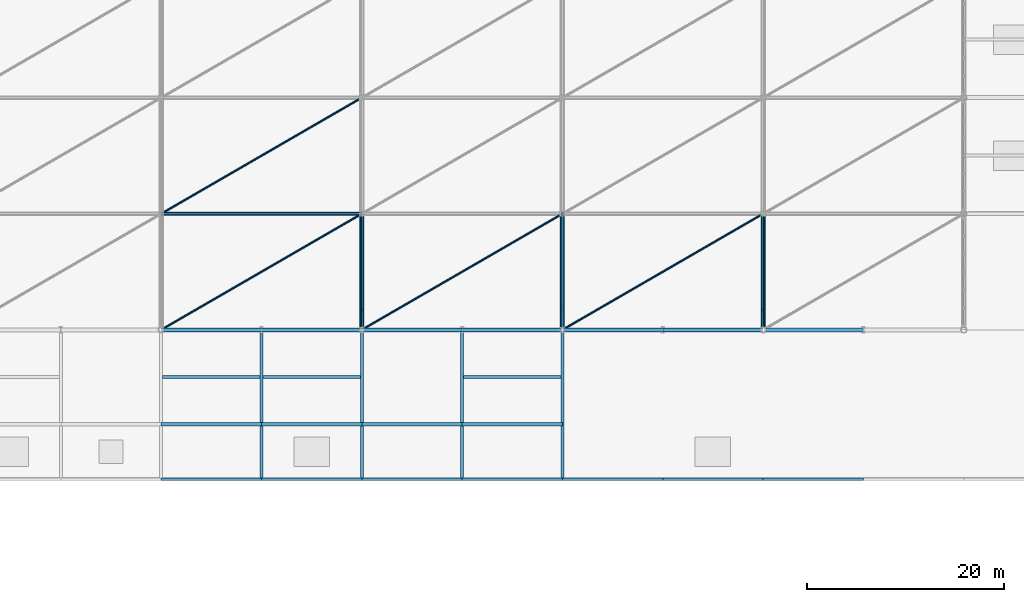
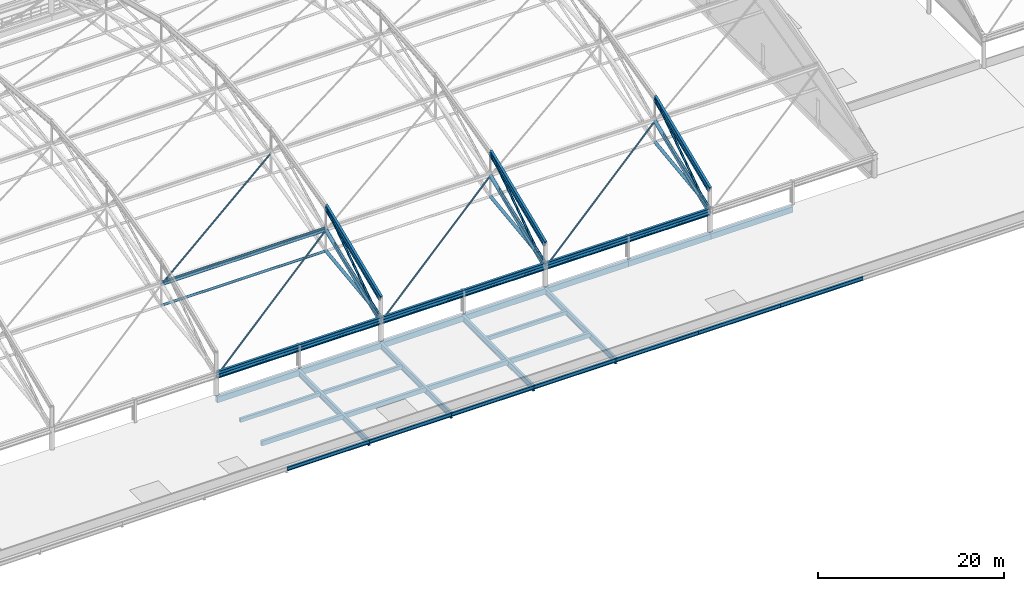
# One storey, part 20 of 135: 31 beams, 22 members.
"""IFC4 building model written with IfcOpenShell, lengths in metres."""

from ifc_helpers import new_model, si_unit, direction, frame, origin, origin_2d, place, context, subcontext, project, spatial, rectangle, hollow_circle, i_section, extrude, material, material_profile, profile_set, type_object, element, save


model = new_model("IFC4")

# Units and contexts
model_context = context("Model", 3, precision=1e-05, world=origin(), true_north=direction((0.0, 1.0)))
body_context = subcontext(model_context, "Body", "Model", "MODEL_VIEW")
ifc_project = project(units=[si_unit("LENGTHUNIT", "METRE"), si_unit("AREAUNIT", "SQUARE_METRE"), si_unit("VOLUMEUNIT", "CUBIC_METRE"), si_unit("PLANEANGLEUNIT", "RADIAN"), si_unit("MASSUNIT", "GRAM", prefix="KILO")], contexts=[model_context])

# Site, building, storey
site_placement = place(None, origin())
site = spatial("IfcSite", under=ifc_project, at=site_placement, CompositionType="ELEMENT")
building_placement = place(site_placement, origin())
building = spatial("IfcBuilding", under=site, at=building_placement, Name="Brelvane Convention Centre", CompositionType="ELEMENT")
storey_placement = place(building_placement, frame((0.0, 0.0, 15.0)))
storey = spatial("IfcBuildingStorey", under=building, at=storey_placement, Name="L03", CompositionType="ELEMENT", Elevation=15.0)

# Beams
ifc_material_1 = material(Name="Concrete M40", Category="concrete")
ifc_material_profile_1 = material_profile(ifc_material_1, rectangle(XDim=0.39990234375, YDim=0.75, at=origin_2d()), Name="RC 400x750")
ifc_profile_set_1 = profile_set([ifc_material_profile_1], Name="Concrete M40")
beam_type_1 = type_object("IfcBeamType", Name="RC Beam B-RC6 (RC 400x750)", PredefinedType="BEAM", material=ifc_profile_set_1)
beam_1_placement = place(storey_placement, frame((61.199951171875, 28.800048828125, -0.675048828125), z_axis=(1.0, 0.0, 0.0), x_axis=(0.0, 1.0, 0.0)))
element("IfcBeam", 1, at=beam_1_placement, inside=storey, type_object=beam_type_1, Name="L03 Beam 7-8/D", PredefinedType="BEAM", context=body_context, shape_type="SweptSolid", body=[
    extrude(rectangle(XDim=0.39990234375, YDim=0.75, at=origin_2d()), origin(), (0.0, 0.0, 1.0), 10.199951171875),
])
beam_2_placement = place(storey_placement, frame((71.39990234375, 28.800048828125, -0.675048828125), z_axis=(1.0, 0.0, 0.0), x_axis=(0.0, 1.0, 0.0)))
element("IfcBeam", 2, at=beam_2_placement, inside=storey, type_object=beam_type_1, Name="L03 Beam 8-9/D", PredefinedType="BEAM", context=body_context, shape_type="SweptSolid", body=[
    extrude(rectangle(XDim=0.39990234375, YDim=0.75, at=origin_2d()), origin(), (0.0, 0.0, 1.0), 10.2001953125),
])
for number, where, z_axis, x_axis, name in (
    (3, (81.60009765625, 28.800048828125, -0.675048828125), (1.0, 0.0, 0.0), (0.0, 1.0, 0.0), "L03 Beam 9-10/D"),
    (4, (91.800048828125, 28.800048828125, -0.675048828125), (1.0, 0.0, 0.0), (0.0, 1.0, 0.0), "L03 Beam 10-11/D"),
    (5, (102.0, 28.800048828125, -0.675048828125), (1.0, 0.0, 0.0), (0.0, 1.0, 0.0), "L03 Beam 11-12/D"),
    (6, (112.199951171875, 28.800048828125, -0.675048828125), (1.0, 0.0, 0.0), (0.0, 1.0, 0.0), "L03 Beam 12-13/D"),
):
    element("IfcBeam", number, at=place(storey_placement, frame(where, z_axis=z_axis, x_axis=x_axis)), inside=storey, type_object=beam_type_1, Name=name, PredefinedType="BEAM", context=body_context, shape_type="SweptSolid", body=[
        extrude(rectangle(XDim=0.39990234375, YDim=0.75, at=origin_2d()), origin(), (0.0, 0.0, 1.0), 10.199951171875),
    ])
beam_3_placement = place(storey_placement, frame((122.39990234375, 28.800048828125, -0.675048828125), z_axis=(1.0, 0.0, 0.0), x_axis=(0.0, 1.0, 0.0)))
element("IfcBeam", 7, at=beam_3_placement, inside=storey, type_object=beam_type_1, Name="L03 Beam 13-14/D", PredefinedType="BEAM", context=body_context, shape_type="SweptSolid", body=[
    extrude(rectangle(XDim=0.39990234375, YDim=0.75, at=origin_2d()), origin(), (0.0, 0.0, 1.0), 10.2001953125),
])
ifc_material_2 = material(Name="Concrete M40", Category="concrete")
ifc_material_profile_2 = material_profile(ifc_material_2, rectangle(XDim=0.300048828125, YDim=0.5, at=origin_2d()), Name="RC 300x500")
ifc_profile_set_2 = profile_set([ifc_material_profile_2], Name="Concrete M40")
beam_type_2 = type_object("IfcBeamType", Name="RC Joist J-RC2 (RC 300x500)", PredefinedType="JOIST", material=ifc_profile_set_2)
for number, where, z_axis, x_axis, name in (
    (8, (61.35009765625, 24.0, -0.550048828125), (1.0, 0.0, 0.0), (0.0, 1.0, 0.0), "L03 Secondary Joist 7-8/CD"),
    (9, (71.550048828125, 24.0, -0.550048828125), (1.0, 0.0, 0.0), (0.0, 1.0, 0.0), "L03 Secondary Joist 8-9/CD"),
):
    element("IfcBeam", number, at=place(storey_placement, frame(where, z_axis=z_axis, x_axis=x_axis)), inside=storey, type_object=beam_type_2, Name=name, PredefinedType="JOIST", context=body_context, shape_type="SweptSolid", body=[
        extrude(rectangle(XDim=0.300048828125, YDim=0.5, at=origin_2d()), origin(), (0.0, 0.0, 1.0), 9.89990234375),
    ])
beam_4_placement = place(storey_placement, frame((91.949951171875, 24.0, -0.550048828125), z_axis=(1.0, 0.0, 0.0), x_axis=(0.0, 1.0, 0.0)))
element("IfcBeam", 10, at=beam_4_placement, inside=storey, type_object=beam_type_2, Name="L03 Secondary Joist 10-11/CD", PredefinedType="JOIST", context=body_context, shape_type="SweptSolid", body=[
    extrude(rectangle(XDim=0.300048828125, YDim=0.5, at=origin_2d()), origin(), (0.0, 0.0, 1.0), 9.900146484375),
])
ifc_material_3 = material(Name="Concrete M40", Category="concrete")
ifc_material_profile_3 = material_profile(ifc_material_3, rectangle(XDim=0.35009765625, YDim=0.60009765625, at=origin_2d()), Name="RC 350x600")
ifc_profile_set_3 = profile_set([ifc_material_profile_3], Name="Concrete M40")
beam_type_3 = type_object("IfcBeamType", Name="RC Spandrel SP-RC2 (RC 350x600)", PredefinedType="SPANDREL", material=ifc_profile_set_3)
beam_5_placement = place(storey_placement, frame((61.199951171875, 19.199951171875, -0.60009765625), z_axis=(1.0, 0.0, 0.0), x_axis=(0.0, 1.0, 0.0)))
element("IfcBeam", 11, at=beam_5_placement, inside=storey, type_object=beam_type_3, Name="L03 Beam 7-8/C", PredefinedType="SPANDREL", context=body_context, shape_type="SweptSolid", body=[
    extrude(rectangle(XDim=0.35009765625, YDim=0.60009765625, at=origin_2d()), origin(), (0.0, 0.0, 1.0), 10.199951171875),
])
beam_6_placement = place(storey_placement, frame((71.39990234375, 19.199951171875, -0.60009765625), z_axis=(1.0, 0.0, 0.0), x_axis=(0.0, 1.0, 0.0)))
element("IfcBeam", 12, at=beam_6_placement, inside=storey, type_object=beam_type_3, Name="L03 Beam 8-9/C", PredefinedType="SPANDREL", context=body_context, shape_type="SweptSolid", body=[
    extrude(rectangle(XDim=0.35009765625, YDim=0.60009765625, at=origin_2d()), origin(), (0.0, 0.0, 1.0), 10.2001953125),
])
for number, where, z_axis, x_axis, name in (
    (13, (81.60009765625, 19.199951171875, -0.60009765625), (1.0, 0.0, 0.0), (0.0, 1.0, 0.0), "L03 Beam 9-10/C"),
    (14, (91.800048828125, 19.199951171875, -0.60009765625), (1.0, 0.0, 0.0), (0.0, 1.0, 0.0), "L03 Beam 10-11/C"),
):
    element("IfcBeam", number, at=place(storey_placement, frame(where, z_axis=z_axis, x_axis=x_axis)), inside=storey, type_object=beam_type_3, Name=name, PredefinedType="SPANDREL", context=body_context, shape_type="SweptSolid", body=[
        extrude(rectangle(XDim=0.35009765625, YDim=0.60009765625, at=origin_2d()), origin(), (0.0, 0.0, 1.0), 10.199951171875),
    ])
ifc_material_4 = material(Name="Steel E450 (450 MPa)", Category="steel")
ifc_material_profile_4 = material_profile(ifc_material_4, i_section(OverallWidth=0.300048828125, OverallDepth=0.89990234375, WebThickness=0.0166015625, FlangeThickness=0.031982421875, FilletRadius=0.027099609375, at=origin_2d()), Name="NPB 900x300")
ifc_profile_set_4 = profile_set([ifc_material_profile_4], Name="Steel E450 (450 MPa)")
beam_type_4 = type_object("IfcBeamType", Name="Steel Beam B-ST1 (NPB 900x300)", PredefinedType="BEAM", material=ifc_profile_set_4)
beam_7_placement = place(storey_placement, frame((61.199951171875, 28.800048828125, 2.550048828125), z_axis=(1.0, 0.0, 0.0), x_axis=(0.0, 1.0, 0.0)))
element("IfcBeam", 15, at=beam_7_placement, inside=storey, type_object=beam_type_4, Name="SF_EXH Eaves Ring Girder S-4", PredefinedType="BEAM", context=body_context, shape_type="SweptSolid", body=[
    extrude(i_section(OverallWidth=0.300048828125, OverallDepth=0.89990234375, WebThickness=0.0166015625, FlangeThickness=0.031982421875, FilletRadius=0.027099609375, at=origin_2d()), origin(), (0.0, 0.0, 1.0), 20.400146484375),
])
for number, where, z_axis, x_axis, name in (
    (16, (81.60009765625, 28.800048828125, 2.550048828125), (1.0, 0.0, 0.0), (0.0, 1.0, 0.0), "SF_EXH Eaves Ring Girder S-5"),
    (17, (102.0, 28.800048828125, 2.550048828125), (1.0, 0.0, 0.0), (0.0, 1.0, 0.0), "SF_EXH Eaves Ring Girder S-6"),
):
    element("IfcBeam", number, at=place(storey_placement, frame(where, z_axis=z_axis, x_axis=x_axis)), inside=storey, type_object=beam_type_4, Name=name, PredefinedType="BEAM", context=body_context, shape_type="SweptSolid", body=[
        extrude(i_section(OverallWidth=0.300048828125, OverallDepth=0.89990234375, WebThickness=0.0166015625, FlangeThickness=0.031982421875, FilletRadius=0.027099609375, at=origin_2d()), origin(), (0.0, 0.0, 1.0), 20.39990234375),
    ])
ifc_material_5 = material(Name="Steel E450 (450 MPa)", Category="steel")
ifc_material_profile_5 = material_profile(ifc_material_5, i_section(OverallWidth=0.300048828125, OverallDepth=0.800048828125, WebThickness=0.015380859375, FlangeThickness=0.030029296875, FilletRadius=0.027099609375, at=origin_2d()), Name="NPB 800x300")
ifc_profile_set_5 = profile_set([ifc_material_profile_5], Name="Steel E450 (450 MPa)")
beam_type_5 = type_object("IfcBeamType", Name="Steel Beam B-ST2 (NPB 800x300)", PredefinedType="BEAM", material=ifc_profile_set_5)
for number, where, z_axis, x_axis, name in (
    (18, (71.39990234375, 13.60009765625, -0.699951171875), (0.0, 1.0, 0.0), (-1.0, 0.0, 0.0), "L03 Hull Cantilever Girder 8"),
    (19, (81.60009765625, 13.60009765625, -0.699951171875), (0.0, 1.0, 0.0), (-1.0, 0.0, 0.0), "L03 Hull Cantilever Girder 9"),
    (20, (91.800048828125, 13.60009765625, -0.699951171875), (0.0, 1.0, 0.0), (-1.0, 0.0, 0.0), "L03 Hull Cantilever Girder 10"),
    (21, (102.0, 13.60009765625, -0.699951171875), (0.0, 1.0, 0.0), (-1.0, 0.0, 0.0), "L03 Hull Cantilever Girder 11"),
):
    element("IfcBeam", number, at=place(storey_placement, frame(where, z_axis=z_axis, x_axis=x_axis)), inside=storey, type_object=beam_type_5, Name=name, PredefinedType="BEAM", context=body_context, shape_type="SweptSolid", body=[
        extrude(i_section(OverallWidth=0.300048828125, OverallDepth=0.800048828125, WebThickness=0.015380859375, FlangeThickness=0.030029296875, FilletRadius=0.027099609375, at=origin_2d()), origin(), (0.0, 0.0, 1.0), 15.199951171875),
    ])
for number, where, z_axis, x_axis, name in (
    (22, (81.60009765625, 28.800048828125, 5.39990234375), (0.0, 0.923846983903, 0.382762002207), (-1.0, 0.0, 0.0), "EXO_EXH Exoskeletal Arch Girder 5.1"),
    (23, (102.0, 28.800048828125, 5.39990234375), (0.0, 0.923846983903, 0.382762002207), (-1.0, 0.0, 0.0), "EXO_EXH Exoskeletal Arch Girder 6.1"),
    (24, (122.39990234375, 28.800048828125, 5.39990234375), (0.0, 0.923846983903, 0.382762002207), (-1.0, 0.0, 0.0), "EXO_EXH Exoskeletal Arch Girder 7.1"),
):
    element("IfcBeam", number, at=place(storey_placement, frame(where, z_axis=z_axis, x_axis=x_axis)), inside=storey, type_object=beam_type_5, Name=name, PredefinedType="BEAM", context=body_context, shape_type="SweptSolid", body=[
        extrude(i_section(OverallWidth=0.300048828125, OverallDepth=0.800048828125, WebThickness=0.015380859375, FlangeThickness=0.030029296875, FilletRadius=0.027099609375, at=origin_2d()), origin(), (0.0, 0.0, 1.0), 12.772705078125),
    ])

# Members
ifc_material_6 = material(Name="Steel E350 (350 MPa)", Category="steel")
ifc_material_profile_6 = material_profile(ifc_material_6, hollow_circle(Radius=0.136474609375, WallThickness=0.012451171875, at=origin_2d()), Name="CHS 273.0x12.5")
ifc_profile_set_6 = profile_set([ifc_material_profile_6], Name="Steel E350 (350 MPa)")
member_type_1 = type_object("IfcMemberType", Name="Steel Brace SF-DG1 (CHS 273.0x12.5)", PredefinedType="BRACE", material=ifc_profile_set_6)
for number, where, z_axis, x_axis, name in (
    (25, (81.60009765625, 28.800048828125, 3.0), (0.0, 0.941369868841, 0.337376303314), (-1.0, 0.0, 0.0), "SF_EXH Space-Frame Web Diagonal D5.1"),
    (26, (102.0, 28.800048828125, 3.0), (0.0, 0.941369868841, 0.337376303314), (-1.0, 0.0, 0.0), "SF_EXH Space-Frame Web Diagonal D6.1"),
    (27, (122.39990234375, 28.800048828125, 3.0), (0.0, 0.941369868841, 0.337376303314), (-1.0, 0.0, 0.0), "SF_EXH Space-Frame Web Diagonal D7.1"),
):
    element("IfcMember", number, at=place(storey_placement, frame(where, z_axis=z_axis, x_axis=x_axis)), inside=storey, type_object=member_type_1, Name=name, PredefinedType="BRACE", context=body_context, shape_type="SweptSolid", body=[
        extrude(hollow_circle(Radius=0.136474609375, WallThickness=0.012451171875, at=origin_2d()), origin(), (0.0, 0.0, 1.0), 12.534912109375),
    ])
for number, where, z_axis, x_axis, name in (
    (28, (81.60009765625, 28.800048828125, 2.340087890625), (0.0, 0.829379646724, 0.558685422756), (-1.0, 0.0, 0.0), "EXO_EXH Exoskeletal Arch Web 5.1"),
    (29, (102.0, 28.800048828125, 2.340087890625), (0.0, 0.829379646724, 0.558685422756), (-1.0, 0.0, 0.0), "EXO_EXH Exoskeletal Arch Web 6.1"),
    (30, (122.39990234375, 28.800048828125, 2.340087890625), (0.0, 0.829379646724, 0.558685422756), (-1.0, 0.0, 0.0), "EXO_EXH Exoskeletal Arch Web 7.1"),
):
    element("IfcMember", number, at=place(storey_placement, frame(where, z_axis=z_axis, x_axis=x_axis)), inside=storey, type_object=member_type_1, Name=name, PredefinedType="BRACE", context=body_context, shape_type="SweptSolid", body=[
        extrude(hollow_circle(Radius=0.136474609375, WallThickness=0.012451171875, at=origin_2d()), origin(), (0.0, 0.0, 1.0), 14.2275390625),
    ])
ifc_material_7 = material(Name="Steel E350 (350 MPa)", Category="steel")
ifc_material_profile_7 = material_profile(ifc_material_7, hollow_circle(Radius=0.109619140625, WallThickness=0.010009765625, at=origin_2d()), Name="CHS 219.1x10.0")
ifc_profile_set_7 = profile_set([ifc_material_profile_7], Name="Steel E350 (350 MPa)")
member_type_2 = type_object("IfcMemberType", Name="Steel Brace SF-DG2 (CHS 219.1x10.0)", PredefinedType="BRACE", material=ifc_profile_set_7)
member_1_placement = place(storey_placement, frame((61.199951171875, 28.800048828125, 2.340087890625), z_axis=(0.847575290674, 0.490262647041, 0.203122287195), x_axis=(-0.500700562715, 0.865620555727, 0.0)))
element("IfcMember", 31, at=member_1_placement, inside=storey, type_object=member_type_2, Name="SF_EXH Roof Diaphragm Brace PB4.1", PredefinedType="BRACE", context=body_context, shape_type="SweptSolid", body=[
    extrude(hollow_circle(Radius=0.109619140625, WallThickness=0.010009765625, at=origin_2d()), origin(), (0.0, 0.0, 1.0), 24.06884765625),
])
member_2_placement = place(storey_placement, frame((61.199951171875, 40.60009765625, 7.22900390625), z_axis=(0.858997719832, 0.496859438181, 0.123505530297), x_axis=(-0.500692800372, 0.865625045649, 0.0)))
element("IfcMember", 32, at=member_2_placement, inside=storey, type_object=member_type_2, Name="SF_EXH Roof Diaphragm Brace PB4.2", PredefinedType="BRACE", context=body_context, shape_type="SweptSolid", body=[
    extrude(hollow_circle(Radius=0.109619140625, WallThickness=0.010009765625, at=origin_2d()), origin(), (0.0, 0.0, 1.0), 23.748779296875),
])
for number, where, z_axis, x_axis, name in (
    (33, (81.60009765625, 28.800048828125, 2.340087890625), (0.847572434082, 0.490266862018, 0.203124033516), (-0.500705052683, 0.865617958581, 0.0), "SF_EXH Roof Diaphragm Brace PB5.1"),
    (34, (102.0, 28.800048828125, 2.340087890625), (0.847572434082, 0.490266862018, 0.203124033516), (-0.500705052683, 0.865617958581, 0.0), "SF_EXH Roof Diaphragm Brace PB6.1"),
):
    element("IfcMember", number, at=place(storey_placement, frame(where, z_axis=z_axis, x_axis=x_axis)), inside=storey, type_object=member_type_2, Name=name, PredefinedType="BRACE", context=body_context, shape_type="SweptSolid", body=[
        extrude(hollow_circle(Radius=0.109619140625, WallThickness=0.010009765625, at=origin_2d()), origin(), (0.0, 0.0, 1.0), 24.068603515625),
    ])
ifc_material_8 = material(Name="Steel E450 (450 MPa)", Category="steel")
ifc_material_profile_8 = material_profile(ifc_material_8, hollow_circle(Radius=0.203125, WallThickness=0.01611328125, at=origin_2d()), Name="CHS 406.4x16.0")
ifc_profile_set_8 = profile_set([ifc_material_profile_8], Name="Steel E450 (450 MPa)")
member_type_3 = type_object("IfcMemberType", Name="Steel Chord SF-BC1 (CHS 406.4x16.0)", PredefinedType="CHORD", material=ifc_profile_set_8)
for number, where, z_axis, x_axis, name in (
    (35, (81.60009765625, 28.800048828125, 3.0), (0.0, 0.992132246813, 0.125194268374), (-1.0, 0.0, 0.0), "SF_EXH Space-Frame Bottom Chord B5.1"),
    (36, (102.0, 28.800048828125, 3.0), (0.0, 0.992132246813, 0.125194268374), (-1.0, 0.0, 0.0), "SF_EXH Space-Frame Bottom Chord B6.1"),
    (37, (122.39990234375, 28.800048828125, 3.0), (0.0, 0.992132246813, 0.125194268374), (-1.0, 0.0, 0.0), "SF_EXH Space-Frame Bottom Chord B7.1"),
):
    element("IfcMember", number, at=place(storey_placement, frame(where, z_axis=z_axis, x_axis=x_axis)), inside=storey, type_object=member_type_3, Name=name, PredefinedType="CHORD", context=body_context, shape_type="SweptSolid", body=[
        extrude(hollow_circle(Radius=0.203125, WallThickness=0.01611328125, at=origin_2d()), origin(), (0.0, 0.0, 1.0), 11.8935546875),
    ])
ifc_material_9 = material(Name="Steel E350 (350 MPa)", Category="steel")
ifc_material_profile_9 = material_profile(ifc_material_9, hollow_circle(Radius=0.161865234375, WallThickness=0.012451171875, at=origin_2d()), Name="CHS 323.9x12.5")
ifc_profile_set_9 = profile_set([ifc_material_profile_9], Name="Steel E350 (350 MPa)")
member_type_4 = type_object("IfcMemberType", Name="Steel Chord SF-BC2 (CHS 323.9x12.5)", PredefinedType="CHORD", material=ifc_profile_set_9)
member_3_placement = place(storey_placement, frame((61.199951171875, 40.60009765625, 4.489013671875), z_axis=(1.0, 0.0, 0.0), x_axis=(0.0, 1.0, 0.0)))
element("IfcMember", 38, at=member_3_placement, inside=storey, type_object=member_type_4, Name="SF_EXH Longitudinal Bottom Chord LB4.2", PredefinedType="CHORD", context=body_context, shape_type="SweptSolid", body=[
    extrude(hollow_circle(Radius=0.161865234375, WallThickness=0.012451171875, at=origin_2d()), origin(), (0.0, 0.0, 1.0), 20.400146484375),
])
ifc_material_10 = material(Name="Steel E450 (450 MPa)", Category="steel")
ifc_material_profile_10 = material_profile(ifc_material_10, hollow_circle(Radius=0.228515625, WallThickness=0.02001953125, at=origin_2d()), Name="CHS 457.0x20.0")
ifc_profile_set_10 = profile_set([ifc_material_profile_10], Name="Steel E450 (450 MPa)")
member_type_5 = type_object("IfcMemberType", Name="Steel Chord SF-TC1 (CHS 457.0x20.0)", PredefinedType="CHORD", material=ifc_profile_set_10)
for number, where, z_axis, x_axis, name in (
    (39, (81.60009765625, 28.800048828125, 2.340087890625), (0.0, 0.923846983903, 0.382762002207), (-1.0, 0.0, 0.0), "SF_EXH Space-Frame Top Chord T5.1"),
    (40, (102.0, 28.800048828125, 2.340087890625), (0.0, 0.923846983903, 0.382762002207), (-1.0, 0.0, 0.0), "SF_EXH Space-Frame Top Chord T6.1"),
    (41, (122.39990234375, 28.800048828125, 2.340087890625), (0.0, 0.923846983903, 0.382762002207), (-1.0, 0.0, 0.0), "SF_EXH Space-Frame Top Chord T7.1"),
):
    element("IfcMember", number, at=place(storey_placement, frame(where, z_axis=z_axis, x_axis=x_axis)), inside=storey, type_object=member_type_5, Name=name, PredefinedType="CHORD", context=body_context, shape_type="SweptSolid", body=[
        extrude(hollow_circle(Radius=0.228515625, WallThickness=0.02001953125, at=origin_2d()), origin(), (0.0, 0.0, 1.0), 12.772705078125),
    ])
ifc_material_11 = material(Name="Steel E450 (450 MPa)", Category="steel")
ifc_material_profile_11 = material_profile(ifc_material_11, hollow_circle(Radius=0.177734375, WallThickness=0.01611328125, at=origin_2d()), Name="CHS 355.6x16.0")
ifc_profile_set_11 = profile_set([ifc_material_profile_11], Name="Steel E450 (450 MPa)")
member_type_6 = type_object("IfcMemberType", Name="Steel Chord SF-TC2 (CHS 355.6x16.0)", PredefinedType="CHORD", material=ifc_profile_set_11)
for number, where, z_axis, x_axis, name in (
    (42, (61.199951171875, 28.800048828125, 2.340087890625), (1.0, 0.0, 0.0), (0.0, 1.0, 0.0), "SF_EXH Longitudinal Top Chord LT4.1"),
    (43, (61.199951171875, 40.60009765625, 7.22900390625), (1.0, 0.0, 0.0), (0.0, 1.0, 0.0), "SF_EXH Longitudinal Top Chord LT4.2"),
):
    element("IfcMember", number, at=place(storey_placement, frame(where, z_axis=z_axis, x_axis=x_axis)), inside=storey, type_object=member_type_6, Name=name, PredefinedType="CHORD", context=body_context, shape_type="SweptSolid", body=[
        extrude(hollow_circle(Radius=0.177734375, WallThickness=0.01611328125, at=origin_2d()), origin(), (0.0, 0.0, 1.0), 20.400146484375),
    ])
for number, where, z_axis, x_axis, name in (
    (44, (81.60009765625, 28.800048828125, 2.340087890625), (1.0, 0.0, 0.0), (0.0, 1.0, 0.0), "SF_EXH Longitudinal Top Chord LT5.1"),
    (45, (102.0, 28.800048828125, 2.340087890625), (1.0, 0.0, 0.0), (0.0, 1.0, 0.0), "SF_EXH Longitudinal Top Chord LT6.1"),
):
    element("IfcMember", number, at=place(storey_placement, frame(where, z_axis=z_axis, x_axis=x_axis)), inside=storey, type_object=member_type_6, Name=name, PredefinedType="CHORD", context=body_context, shape_type="SweptSolid", body=[
        extrude(hollow_circle(Radius=0.177734375, WallThickness=0.01611328125, at=origin_2d()), origin(), (0.0, 0.0, 1.0), 20.39990234375),
    ])
ifc_material_12 = material(Name="Steel E350 (350 MPa)", Category="steel")
ifc_material_profile_12 = material_profile(ifc_material_12, i_section(OverallWidth=0.125, OverallDepth=0.25, WebThickness=0.0068359375, FlangeThickness=0.012451171875, FilletRadius=0.012939453125, at=origin_2d()), Name="ISMB 250")
ifc_profile_set_12 = profile_set([ifc_material_profile_12], Name="Steel E350 (350 MPa)")
member_type_7 = type_object("IfcMemberType", Name="Steel Purlin PR-ST1 (ISMB 250)", PredefinedType="PURLIN", material=ifc_profile_set_12)
member_4_placement = place(storey_placement, frame((61.199951171875, 40.60009765625, 7.56396484375), z_axis=(1.0, 0.0, 0.0), x_axis=(0.0, 1.0, 0.0)))
element("IfcMember", 46, at=member_4_placement, inside=storey, type_object=member_type_7, Name="SF_EXH Roof Purlin P4.2", PredefinedType="PURLIN", context=body_context, shape_type="SweptSolid", body=[
    extrude(i_section(OverallWidth=0.125, OverallDepth=0.25, WebThickness=0.0068359375, FlangeThickness=0.012451171875, FilletRadius=0.012939453125, at=origin_2d()), origin(), (0.0, 0.0, 1.0), 20.400146484375),
])

# Beams
ifc_material_13 = material(Name="Steel E350 (350 MPa)", Category="steel")
ifc_material_profile_13 = material_profile(ifc_material_13, i_section(OverallWidth=0.25, OverallDepth=0.5, WebThickness=0.010009765625, FlangeThickness=0.0146484375, FilletRadius=0.01611328125, at=origin_2d()), Name="ISWB 500")
ifc_profile_set_13 = profile_set([ifc_material_profile_13], Name="Steel E350 (350 MPa)")
beam_type_6 = type_object("IfcBeamType", Name="Steel Spandrel SP-ST1 (ISWB 500)", PredefinedType="SPANDREL", material=ifc_profile_set_13)
beam_8_placement = place(storey_placement, frame((61.199951171875, 13.60009765625, -0.550048828125), z_axis=(1.0, 0.0, 0.0), x_axis=(0.0, 1.0, 0.0)))
element("IfcBeam", 47, at=beam_8_placement, inside=storey, type_object=beam_type_6, Name="L03 Hull Overhang Edge Spandrel 7", PredefinedType="SPANDREL", context=body_context, shape_type="SweptSolid", body=[
    extrude(i_section(OverallWidth=0.25, OverallDepth=0.5, WebThickness=0.010009765625, FlangeThickness=0.0146484375, FilletRadius=0.01611328125, at=origin_2d()), origin(), (0.0, 0.0, 1.0), 10.199951171875),
])
beam_9_placement = place(storey_placement, frame((71.39990234375, 13.60009765625, -0.550048828125), z_axis=(1.0, 0.0, 0.0), x_axis=(0.0, 1.0, 0.0)))
element("IfcBeam", 48, at=beam_9_placement, inside=storey, type_object=beam_type_6, Name="L03 Hull Overhang Edge Spandrel 8", PredefinedType="SPANDREL", context=body_context, shape_type="SweptSolid", body=[
    extrude(i_section(OverallWidth=0.25, OverallDepth=0.5, WebThickness=0.010009765625, FlangeThickness=0.0146484375, FilletRadius=0.01611328125, at=origin_2d()), origin(), (0.0, 0.0, 1.0), 10.2001953125),
])
for number, where, z_axis, x_axis, name in (
    (49, (81.60009765625, 13.60009765625, -0.550048828125), (1.0, 0.0, 0.0), (0.0, 1.0, 0.0), "L03 Hull Overhang Edge Spandrel 9"),
    (50, (91.800048828125, 13.60009765625, -0.550048828125), (1.0, 0.0, 0.0), (0.0, 1.0, 0.0), "L03 Hull Overhang Edge Spandrel 10"),
    (51, (102.0, 13.60009765625, -0.550048828125), (1.0, 0.0, 0.0), (0.0, 1.0, 0.0), "L03 Hull Overhang Edge Spandrel 11"),
    (52, (112.199951171875, 13.60009765625, -0.550048828125), (1.0, 0.0, 0.0), (0.0, 1.0, 0.0), "L03 Hull Overhang Edge Spandrel 12"),
):
    element("IfcBeam", number, at=place(storey_placement, frame(where, z_axis=z_axis, x_axis=x_axis)), inside=storey, type_object=beam_type_6, Name=name, PredefinedType="SPANDREL", context=body_context, shape_type="SweptSolid", body=[
        extrude(i_section(OverallWidth=0.25, OverallDepth=0.5, WebThickness=0.010009765625, FlangeThickness=0.0146484375, FilletRadius=0.01611328125, at=origin_2d()), origin(), (0.0, 0.0, 1.0), 10.199951171875),
    ])
beam_10_placement = place(storey_placement, frame((122.39990234375, 13.60009765625, -0.550048828125), z_axis=(1.0, 0.0, 0.0), x_axis=(0.0, 1.0, 0.0)))
element("IfcBeam", 53, at=beam_10_placement, inside=storey, type_object=beam_type_6, Name="L03 Hull Overhang Edge Spandrel 13", PredefinedType="SPANDREL", context=body_context, shape_type="SweptSolid", body=[
    extrude(i_section(OverallWidth=0.25, OverallDepth=0.5, WebThickness=0.010009765625, FlangeThickness=0.0146484375, FilletRadius=0.01611328125, at=origin_2d()), origin(), (0.0, 0.0, 1.0), 10.2001953125),
])

save(model, "model.ifc")
